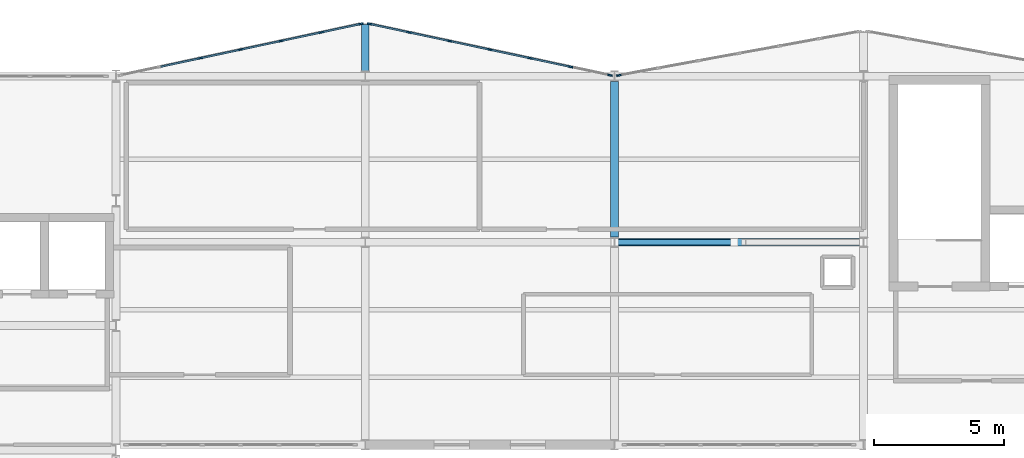
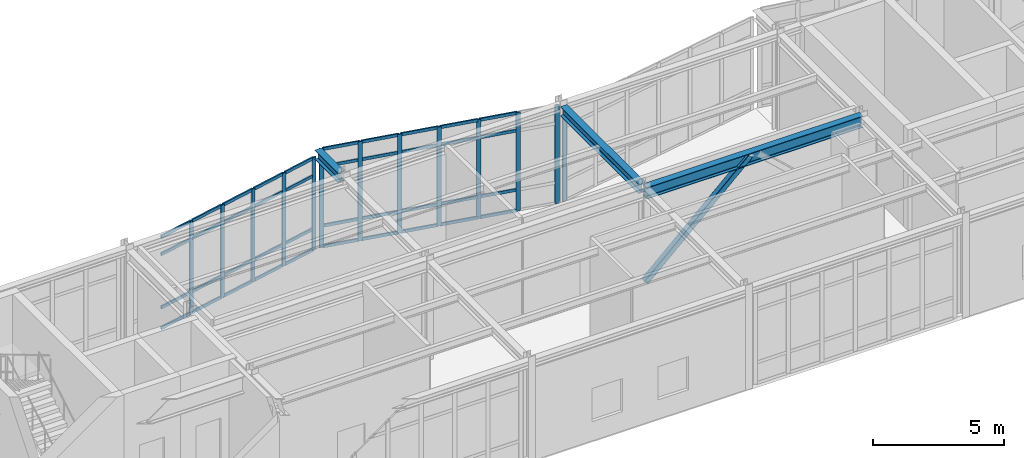
# One storey, part 12 of 28: 54 members, 3 beams, 3 elements without a shape of their own.
"""IFC4 building model written with IfcOpenShell, lengths in metres."""

from ifc_helpers import new_model, si_unit, direction, frame, origin, origin_2d, place, context, subcontext, project, spatial, rectangle, hollow_rectangle, i_section, extrude, material, layer, layer_set, material_profile, profile_set, type_object, element, aggregate, save


model = new_model("IFC4")

# Units and contexts
model_context = context("Model", 3, precision=1e-05, world=origin(), true_north=direction((0.0, 1.0)))
body_context = subcontext(model_context, "Body", "Model", "MODEL_VIEW")
ifc_project = project(units=[si_unit("LENGTHUNIT", "METRE"), si_unit("AREAUNIT", "SQUARE_METRE"), si_unit("VOLUMEUNIT", "CUBIC_METRE"), si_unit("PLANEANGLEUNIT", "RADIAN"), si_unit("MASSUNIT", "GRAM", prefix="KILO")], contexts=[model_context])

# Site, building, storey
site_placement = place(None, origin())
site = spatial("IfcSite", under=ifc_project, at=site_placement, CompositionType="ELEMENT")
building_placement = place(site_placement, origin())
building = spatial("IfcBuilding", under=site, at=building_placement, Name="Nordkorset Police Headquarters", CompositionType="ELEMENT")
storey_placement = place(building_placement, frame((0.0, 0.0, 26.25)))
storey = spatial("IfcBuildingStorey", under=building, at=storey_placement, Name="L06", CompositionType="ELEMENT", Elevation=26.25)

# Member
ifc_material_1 = material(Name="Steel S355J2", Category="steel")
ifc_material_profile_1 = material_profile(ifc_material_1, hollow_rectangle(XDim=0.25, YDim=0.25, WallThickness=0.012451171875, InnerFilletRadius=0.012451171875, OuterFilletRadius=0.02490234375, at=origin_2d()), Name="SHS 250x250x12.5")
ifc_profile_set_1 = profile_set([ifc_material_profile_1], Name="Steel S355J2")
member_type_1 = type_object("IfcMemberType", Name="Brace_SHS_250x250x12.5", PredefinedType="BRACE", material=ifc_profile_set_1)
member_1_placement = place(storey_placement, frame((48.006591796875, 110.39990234375, 0.199951171875), z_axis=(0.732314366197, 0.0, 0.680966716559), x_axis=(0.0, 1.0, 0.0)))
element("IfcMember", 1, at=member_1_placement, inside=storey, type_object=member_type_1, Name="Lateral Chevron Brace BF-V2-A L06 D1", PredefinedType="BRACE", context=body_context, shape_type="SweptSolid", body=[
    extrude(hollow_rectangle(XDim=0.25, YDim=0.25, WallThickness=0.012451171875, InnerFilletRadius=0.012451171875, OuterFilletRadius=0.02490234375, at=origin_2d()), origin(), (0.0, 0.0, 1.0), 6.2998046875),
])

# Curtain wall, members
ifc_material_2 = material(Name="Aluminium alloy AW-6060", Category="aluminium")
ifc_layer_1 = layer(ifc_material_2, 0.179931640625, Name="Aluminium alloy AW-6060")
ifc_layer_set_1 = layer_set([ifc_layer_1], Name="Aluminium alloy AW-6060")
curtain_wall_type_1 = type_object("IfcCurtainWallType", Name="CW_Unit_954x434", PredefinedType="USERDEFINED", material=ifc_layer_set_1)
curtain_wall_1_placement = place(storey_placement, origin())
curtain_wall_1 = element("IfcCurtainWall", 2, at=curtain_wall_1_placement, inside=storey, type_object=curtain_wall_type_1, Name="Unitised Curtain Wall L06 V2N-0", ObjectType="UNITISED CURTAIN WALL", PredefinedType="USERDEFINED")
ifc_material_3 = material(Name="Aluminium alloy AW-6060", Category="aluminium")
ifc_material_profile_2 = material_profile(ifc_material_3, rectangle(XDim=0.06494140625, YDim=0.179931640625, at=origin_2d()), Name="ALU MULL 65x180")
ifc_profile_set_2 = profile_set([ifc_material_profile_2], Name="Aluminium alloy AW-6060")
member_type_2 = type_object("IfcMemberType", Name="CW_Mullion_65x180", PredefinedType="MULLION", material=ifc_profile_set_2)
member_2_placement = place(storey_placement, frame((32.045654296875, 117.4931640625, 0.0), z_axis=(0.0, 0.0, 1.0), x_axis=(-0.208832534289, 0.977951416289, 0.0)))
member_2 = element("IfcMember", 3, at=member_2_placement, type_object=member_type_2, Name="CW-77 mullion 3", PredefinedType="MULLION", context=body_context, shape_type="SweptSolid", body=[
    extrude(rectangle(XDim=0.06494140625, YDim=0.179931640625, at=origin_2d()), origin(), (0.0, 0.0, 1.0), 4.3349609375),
])
member_3_placement = place(storey_placement, frame((33.60009765625, 117.824951171875, 0.0), z_axis=(0.0, 0.0, 1.0), x_axis=(-0.208832534289, 0.977951416289, 0.0)))
member_3 = element("IfcMember", 4, at=member_3_placement, type_object=member_type_2, Name="CW-77 mullion 4", PredefinedType="MULLION", context=body_context, shape_type="SweptSolid", body=[
    extrude(rectangle(XDim=0.06494140625, YDim=0.179931640625, at=origin_2d()), origin(), (0.0, 0.0, 1.0), 4.3349609375),
])
member_4_placement = place(storey_placement, frame((35.154296875, 118.156982421875, 0.0), z_axis=(0.0, 0.0, 1.0), x_axis=(-0.208832534289, 0.977951416289, 0.0)))
member_4 = element("IfcMember", 5, at=member_4_placement, type_object=member_type_2, Name="CW-77 mullion 5", PredefinedType="MULLION", context=body_context, shape_type="SweptSolid", body=[
    extrude(rectangle(XDim=0.06494140625, YDim=0.179931640625, at=origin_2d()), origin(), (0.0, 0.0, 1.0), 4.3349609375),
])
member_5_placement = place(storey_placement, frame((36.708740234375, 118.48876953125, 0.0), z_axis=(0.0, 0.0, 1.0), x_axis=(-0.208832534289, 0.977951416289, 0.0)))
member_5 = element("IfcMember", 6, at=member_5_placement, type_object=member_type_2, Name="CW-77 mullion 6", PredefinedType="MULLION", context=body_context, shape_type="SweptSolid", body=[
    extrude(rectangle(XDim=0.06494140625, YDim=0.179931640625, at=origin_2d()), origin(), (0.0, 0.0, 1.0), 4.3349609375),
])
member_6_placement = place(storey_placement, frame((38.231201171875, 118.81396484375, 0.0), z_axis=(0.0, 0.0, 1.0), x_axis=(-0.208832534289, 0.977951416289, 0.0)))
member_6 = element("IfcMember", 7, at=member_6_placement, type_object=member_type_2, Name="CW-77 mullion 7", PredefinedType="MULLION", context=body_context, shape_type="SweptSolid", body=[
    extrude(rectangle(XDim=0.06494140625, YDim=0.179931640625, at=origin_2d()), origin(), (0.0, 0.0, 1.0), 4.3349609375),
])

ifc_material_4 = material(Name="Aluminium alloy AW-6060", Category="aluminium")
ifc_layer_2 = layer(ifc_material_4, 0.179931640625, Name="Aluminium alloy AW-6060")
ifc_layer_set_2 = layer_set([ifc_layer_2], Name="Aluminium alloy AW-6060")
curtain_wall_type_2 = type_object("IfcCurtainWallType", Name="CW_Unit_954x462", PredefinedType="USERDEFINED", material=ifc_layer_set_2)
curtain_wall_2_placement = place(storey_placement, origin())
curtain_wall_2 = element("IfcCurtainWall", 8, at=curtain_wall_2_placement, inside=storey, type_object=curtain_wall_type_2, Name="Unitised Curtain Wall L06 V2N-1", ObjectType="UNITISED CURTAIN WALL", PredefinedType="USERDEFINED")
member_7_placement = place(storey_placement, frame((38.568603515625, 118.81396484375, 0.0), z_axis=(0.0, 0.0, 1.0), x_axis=(0.208832534289, 0.977951416289, 0.0)))
member_7 = element("IfcMember", 9, at=member_7_placement, type_object=member_type_2, Name="CW-88 mullion 1", PredefinedType="MULLION", context=body_context, shape_type="SweptSolid", body=[
    extrude(rectangle(XDim=0.06494140625, YDim=0.179931640625, at=origin_2d()), origin(), (0.0, 0.0, 1.0), 4.6201171875),
])
member_8_placement = place(storey_placement, frame((40.09130859375, 118.48876953125, 0.0), z_axis=(0.0, 0.0, 1.0), x_axis=(0.208832534289, 0.977951416289, 0.0)))
member_8 = element("IfcMember", 10, at=member_8_placement, type_object=member_type_2, Name="CW-88 mullion 2", PredefinedType="MULLION", context=body_context, shape_type="SweptSolid", body=[
    extrude(rectangle(XDim=0.06494140625, YDim=0.179931640625, at=origin_2d()), origin(), (0.0, 0.0, 1.0), 4.6201171875),
])
member_9_placement = place(storey_placement, frame((41.645751953125, 118.156982421875, 0.0), z_axis=(0.0, 0.0, 1.0), x_axis=(0.208832534289, 0.977951416289, 0.0)))
member_9 = element("IfcMember", 11, at=member_9_placement, type_object=member_type_2, Name="CW-88 mullion 3", PredefinedType="MULLION", context=body_context, shape_type="SweptSolid", body=[
    extrude(rectangle(XDim=0.06494140625, YDim=0.179931640625, at=origin_2d()), origin(), (0.0, 0.0, 1.0), 4.6201171875),
])
member_10_placement = place(storey_placement, frame((43.199951171875, 117.824951171875, 0.0), z_axis=(0.0, 0.0, 1.0), x_axis=(0.208832534289, 0.977951416289, 0.0)))
member_10 = element("IfcMember", 12, at=member_10_placement, type_object=member_type_2, Name="CW-88 mullion 4", PredefinedType="MULLION", context=body_context, shape_type="SweptSolid", body=[
    extrude(rectangle(XDim=0.06494140625, YDim=0.179931640625, at=origin_2d()), origin(), (0.0, 0.0, 1.0), 4.6201171875),
])
member_11_placement = place(storey_placement, frame((44.75439453125, 117.4931640625, 0.0), z_axis=(0.0, 0.0, 1.0), x_axis=(0.208832534289, 0.977951416289, 0.0)))
member_11 = element("IfcMember", 13, at=member_11_placement, type_object=member_type_2, Name="CW-88 mullion 5", PredefinedType="MULLION", context=body_context, shape_type="SweptSolid", body=[
    extrude(rectangle(XDim=0.06494140625, YDim=0.179931640625, at=origin_2d()), origin(), (0.0, 0.0, 1.0), 4.6201171875),
])
member_12_placement = place(storey_placement, frame((46.308837890625, 117.1611328125, 0.0), z_axis=(0.0, 0.0, 1.0), x_axis=(0.208832534289, 0.977951416289, 0.0)))
member_12 = element("IfcMember", 14, at=member_12_placement, type_object=member_type_2, Name="CW-88 mullion 6", PredefinedType="MULLION", context=body_context, shape_type="SweptSolid", body=[
    extrude(rectangle(XDim=0.06494140625, YDim=0.179931640625, at=origin_2d()), origin(), (0.0, 0.0, 1.0), 4.6201171875),
])
member_13_placement = place(storey_placement, frame((47.831298828125, 116.8359375, 0.0), z_axis=(0.0, 0.0, 1.0), x_axis=(0.208832534289, 0.977951416289, 0.0)))
member_13 = element("IfcMember", 15, at=member_13_placement, type_object=member_type_2, Name="CW-88 mullion 7", PredefinedType="MULLION", context=body_context, shape_type="SweptSolid", body=[
    extrude(rectangle(XDim=0.06494140625, YDim=0.179931640625, at=origin_2d()), origin(), (0.0, 0.0, 1.0), 4.6201171875),
])

# Curtain wall, member
ifc_material_5 = material(Name="Aluminium alloy AW-6060", Category="aluminium")
ifc_layer_3 = layer(ifc_material_5, 0.179931640625, Name="Aluminium alloy AW-6060")
ifc_layer_set_3 = layer_set([ifc_layer_3], Name="Aluminium alloy AW-6060")
curtain_wall_type_3 = type_object("IfcCurtainWallType", Name="CW_Unit_948x434", PredefinedType="USERDEFINED", material=ifc_layer_set_3)
curtain_wall_3_placement = place(storey_placement, origin())
curtain_wall_3 = element("IfcCurtainWall", 16, at=curtain_wall_3_placement, inside=storey, type_object=curtain_wall_type_3, Name="Unitised Curtain Wall L06 V2N-2", ObjectType="UNITISED CURTAIN WALL", PredefinedType="USERDEFINED")
member_14_placement = place(storey_placement, frame((48.169677734375, 116.8310546875, 0.0), z_axis=(0.0, 0.0, 1.0), x_axis=(-0.179335715876, 0.983787934979, 0.0)))
member_14 = element("IfcMember", 17, at=member_14_placement, type_object=member_type_2, Name="CW-55 mullion 1", PredefinedType="MULLION", context=body_context, shape_type="SweptSolid", body=[
    extrude(rectangle(XDim=0.06494140625, YDim=0.179931640625, at=origin_2d()), origin(), (0.0, 0.0, 1.0), 4.3349609375),
])
aggregate(curtain_wall_3, [member_14])

# Member
ifc_material_6 = material(Name="Aluminium alloy AW-6060", Category="aluminium")
ifc_material_profile_3 = material_profile(ifc_material_6, rectangle(XDim=0.06494140625, YDim=0.139892578125, at=origin_2d()), Name="ALU TRAN 65x140")
ifc_profile_set_3 = profile_set([ifc_material_profile_3], Name="Aluminium alloy AW-6060")
member_type_3 = type_object("IfcMemberType", Name="CW_Transom_65x140", PredefinedType="USERDEFINED", material=ifc_profile_set_3)
member_15_placement = place(storey_placement, frame((30.52294921875, 117.16796875, 0.032470703125), z_axis=(0.977954480787, 0.208818182896, 0.0), x_axis=(-0.208818182896, 0.977954480787, 0.0)))
member_15 = element("IfcMember", 18, at=member_15_placement, type_object=member_type_3, Name="CW-77 transom 2.1", ObjectType="TRANSOM", PredefinedType="USERDEFINED", context=body_context, shape_type="SweptSolid", body=[
    extrude(rectangle(XDim=0.06494140625, YDim=0.139892578125, at=origin_2d()), origin(), (0.0, 0.0, 1.0), 1.524658203125),
])

member_16_placement = place(storey_placement, frame((30.52294921875, 117.16796875, 1.0), z_axis=(0.977954480787, 0.208818182896, 0.0), x_axis=(-0.208818182896, 0.977954480787, 0.0)))
member_16 = element("IfcMember", 19, at=member_16_placement, type_object=member_type_3, Name="CW-77 transom 2.2", ObjectType="TRANSOM", PredefinedType="USERDEFINED", context=body_context, shape_type="SweptSolid", body=[
    extrude(rectangle(XDim=0.06494140625, YDim=0.139892578125, at=origin_2d()), origin(), (0.0, 0.0, 1.0), 1.524658203125),
])

member_17_placement = place(storey_placement, frame((30.52294921875, 117.16796875, 3.485107421875), z_axis=(0.977954480787, 0.208818182896, 0.0), x_axis=(-0.208818182896, 0.977954480787, 0.0)))
member_17 = element("IfcMember", 20, at=member_17_placement, type_object=member_type_3, Name="CW-77 transom 2.3", ObjectType="TRANSOM", PredefinedType="USERDEFINED", context=body_context, shape_type="SweptSolid", body=[
    extrude(rectangle(XDim=0.06494140625, YDim=0.139892578125, at=origin_2d()), origin(), (0.0, 0.0, 1.0), 1.524658203125),
])

member_18_placement = place(storey_placement, frame((30.52294921875, 117.16796875, 4.302490234375), z_axis=(0.977954480787, 0.208818182896, 0.0), x_axis=(-0.208818182896, 0.977954480787, 0.0)))
member_18 = element("IfcMember", 21, at=member_18_placement, type_object=member_type_3, Name="CW-77 transom 2.4", ObjectType="TRANSOM", PredefinedType="USERDEFINED", context=body_context, shape_type="SweptSolid", body=[
    extrude(rectangle(XDim=0.06494140625, YDim=0.139892578125, at=origin_2d()), origin(), (0.0, 0.0, 1.0), 1.524658203125),
])

member_19_placement = place(storey_placement, frame((32.077392578125, 117.499755859375, 0.032470703125), z_axis=(0.977947496383, 0.208850890154, 0.0), x_axis=(-0.208850890154, 0.977947496383, 0.0)))
member_19 = element("IfcMember", 22, at=member_19_placement, type_object=member_type_3, Name="CW-77 transom 3.1", ObjectType="TRANSOM", PredefinedType="USERDEFINED", context=body_context, shape_type="SweptSolid", body=[
    extrude(rectangle(XDim=0.06494140625, YDim=0.139892578125, at=origin_2d()), origin(), (0.0, 0.0, 1.0), 1.5244140625),
])

member_20_placement = place(storey_placement, frame((32.077392578125, 117.499755859375, 1.0), z_axis=(0.977947496383, 0.208850890154, 0.0), x_axis=(-0.208850890154, 0.977947496383, 0.0)))
member_20 = element("IfcMember", 23, at=member_20_placement, type_object=member_type_3, Name="CW-77 transom 3.2", ObjectType="TRANSOM", PredefinedType="USERDEFINED", context=body_context, shape_type="SweptSolid", body=[
    extrude(rectangle(XDim=0.06494140625, YDim=0.139892578125, at=origin_2d()), origin(), (0.0, 0.0, 1.0), 1.5244140625),
])

member_21_placement = place(storey_placement, frame((32.077392578125, 117.499755859375, 3.485107421875), z_axis=(0.977947496383, 0.208850890154, 0.0), x_axis=(-0.208850890154, 0.977947496383, 0.0)))
member_21 = element("IfcMember", 24, at=member_21_placement, type_object=member_type_3, Name="CW-77 transom 3.3", ObjectType="TRANSOM", PredefinedType="USERDEFINED", context=body_context, shape_type="SweptSolid", body=[
    extrude(rectangle(XDim=0.06494140625, YDim=0.139892578125, at=origin_2d()), origin(), (0.0, 0.0, 1.0), 1.5244140625),
])

member_22_placement = place(storey_placement, frame((32.077392578125, 117.499755859375, 4.302490234375), z_axis=(0.977947496383, 0.208850890154, 0.0), x_axis=(-0.208850890154, 0.977947496383, 0.0)))
member_22 = element("IfcMember", 25, at=member_22_placement, type_object=member_type_3, Name="CW-77 transom 3.4", ObjectType="TRANSOM", PredefinedType="USERDEFINED", context=body_context, shape_type="SweptSolid", body=[
    extrude(rectangle(XDim=0.06494140625, YDim=0.139892578125, at=origin_2d()), origin(), (0.0, 0.0, 1.0), 1.5244140625),
])

member_23_placement = place(storey_placement, frame((33.6318359375, 117.831787109375, 0.032470703125), z_axis=(0.977947496383, 0.208850890154, 0.0), x_axis=(-0.208850890154, 0.977947496383, 0.0)))
member_23 = element("IfcMember", 26, at=member_23_placement, type_object=member_type_3, Name="CW-77 transom 4.1", ObjectType="TRANSOM", PredefinedType="USERDEFINED", context=body_context, shape_type="SweptSolid", body=[
    extrude(rectangle(XDim=0.06494140625, YDim=0.139892578125, at=origin_2d()), origin(), (0.0, 0.0, 1.0), 1.5244140625),
])

member_24_placement = place(storey_placement, frame((33.6318359375, 117.831787109375, 1.0), z_axis=(0.977947496383, 0.208850890154, 0.0), x_axis=(-0.208850890154, 0.977947496383, 0.0)))
member_24 = element("IfcMember", 27, at=member_24_placement, type_object=member_type_3, Name="CW-77 transom 4.2", ObjectType="TRANSOM", PredefinedType="USERDEFINED", context=body_context, shape_type="SweptSolid", body=[
    extrude(rectangle(XDim=0.06494140625, YDim=0.139892578125, at=origin_2d()), origin(), (0.0, 0.0, 1.0), 1.5244140625),
])

member_25_placement = place(storey_placement, frame((33.6318359375, 117.831787109375, 3.485107421875), z_axis=(0.977947496383, 0.208850890154, 0.0), x_axis=(-0.208850890154, 0.977947496383, 0.0)))
member_25 = element("IfcMember", 28, at=member_25_placement, type_object=member_type_3, Name="CW-77 transom 4.3", ObjectType="TRANSOM", PredefinedType="USERDEFINED", context=body_context, shape_type="SweptSolid", body=[
    extrude(rectangle(XDim=0.06494140625, YDim=0.139892578125, at=origin_2d()), origin(), (0.0, 0.0, 1.0), 1.5244140625),
])

member_26_placement = place(storey_placement, frame((33.6318359375, 117.831787109375, 4.302490234375), z_axis=(0.977947496383, 0.208850890154, 0.0), x_axis=(-0.208850890154, 0.977947496383, 0.0)))
member_26 = element("IfcMember", 29, at=member_26_placement, type_object=member_type_3, Name="CW-77 transom 4.4", ObjectType="TRANSOM", PredefinedType="USERDEFINED", context=body_context, shape_type="SweptSolid", body=[
    extrude(rectangle(XDim=0.06494140625, YDim=0.139892578125, at=origin_2d()), origin(), (0.0, 0.0, 1.0), 1.5244140625),
])

member_27_placement = place(storey_placement, frame((35.18603515625, 118.163818359375, 0.032470703125), z_axis=(0.97798717214, 0.208665021336, 0.0), x_axis=(-0.208665021336, 0.97798717214, 0.0)))
member_27 = element("IfcMember", 30, at=member_27_placement, type_object=member_type_3, Name="CW-77 transom 5.1", ObjectType="TRANSOM", PredefinedType="USERDEFINED", context=body_context, shape_type="SweptSolid", body=[
    extrude(rectangle(XDim=0.06494140625, YDim=0.139892578125, at=origin_2d()), origin(), (0.0, 0.0, 1.0), 1.5244140625),
])

member_28_placement = place(storey_placement, frame((35.18603515625, 118.163818359375, 1.0), z_axis=(0.97798717214, 0.208665021336, 0.0), x_axis=(-0.208665021336, 0.97798717214, 0.0)))
member_28 = element("IfcMember", 31, at=member_28_placement, type_object=member_type_3, Name="CW-77 transom 5.2", ObjectType="TRANSOM", PredefinedType="USERDEFINED", context=body_context, shape_type="SweptSolid", body=[
    extrude(rectangle(XDim=0.06494140625, YDim=0.139892578125, at=origin_2d()), origin(), (0.0, 0.0, 1.0), 1.5244140625),
])

member_29_placement = place(storey_placement, frame((35.18603515625, 118.163818359375, 3.485107421875), z_axis=(0.97798717214, 0.208665021336, 0.0), x_axis=(-0.208665021336, 0.97798717214, 0.0)))
member_29 = element("IfcMember", 32, at=member_29_placement, type_object=member_type_3, Name="CW-77 transom 5.3", ObjectType="TRANSOM", PredefinedType="USERDEFINED", context=body_context, shape_type="SweptSolid", body=[
    extrude(rectangle(XDim=0.06494140625, YDim=0.139892578125, at=origin_2d()), origin(), (0.0, 0.0, 1.0), 1.5244140625),
])

member_30_placement = place(storey_placement, frame((35.18603515625, 118.163818359375, 4.302490234375), z_axis=(0.97798717214, 0.208665021336, 0.0), x_axis=(-0.208665021336, 0.97798717214, 0.0)))
member_30 = element("IfcMember", 33, at=member_30_placement, type_object=member_type_3, Name="CW-77 transom 5.4", ObjectType="TRANSOM", PredefinedType="USERDEFINED", context=body_context, shape_type="SweptSolid", body=[
    extrude(rectangle(XDim=0.06494140625, YDim=0.139892578125, at=origin_2d()), origin(), (0.0, 0.0, 1.0), 1.5244140625),
])

member_31_placement = place(storey_placement, frame((36.740478515625, 118.49560546875, 0.032470703125), z_axis=(0.977955422008, 0.208813774846, 0.0), x_axis=(-0.208813774846, 0.977955422008, 0.0)))
member_31 = element("IfcMember", 34, at=member_31_placement, type_object=member_type_3, Name="CW-77 transom 6.1", ObjectType="TRANSOM", PredefinedType="USERDEFINED", context=body_context, shape_type="SweptSolid", body=[
    extrude(rectangle(XDim=0.06494140625, YDim=0.139892578125, at=origin_2d()), origin(), (0.0, 0.0, 1.0), 1.491943359375),
])

member_32_placement = place(storey_placement, frame((36.740478515625, 118.49560546875, 1.0), z_axis=(0.977955422008, 0.208813774846, 0.0), x_axis=(-0.208813774846, 0.977955422008, 0.0)))
member_32 = element("IfcMember", 35, at=member_32_placement, type_object=member_type_3, Name="CW-77 transom 6.2", ObjectType="TRANSOM", PredefinedType="USERDEFINED", context=body_context, shape_type="SweptSolid", body=[
    extrude(rectangle(XDim=0.06494140625, YDim=0.139892578125, at=origin_2d()), origin(), (0.0, 0.0, 1.0), 1.491943359375),
])

member_33_placement = place(storey_placement, frame((36.740478515625, 118.49560546875, 3.485107421875), z_axis=(0.977955422008, 0.208813774846, 0.0), x_axis=(-0.208813774846, 0.977955422008, 0.0)))
member_33 = element("IfcMember", 36, at=member_33_placement, type_object=member_type_3, Name="CW-77 transom 6.3", ObjectType="TRANSOM", PredefinedType="USERDEFINED", context=body_context, shape_type="SweptSolid", body=[
    extrude(rectangle(XDim=0.06494140625, YDim=0.139892578125, at=origin_2d()), origin(), (0.0, 0.0, 1.0), 1.491943359375),
])

member_34_placement = place(storey_placement, frame((36.740478515625, 118.49560546875, 4.302490234375), z_axis=(0.977955422008, 0.208813774846, 0.0), x_axis=(-0.208813774846, 0.977955422008, 0.0)))
member_34 = element("IfcMember", 37, at=member_34_placement, type_object=member_type_3, Name="CW-77 transom 6.4", ObjectType="TRANSOM", PredefinedType="USERDEFINED", context=body_context, shape_type="SweptSolid", body=[
    extrude(rectangle(XDim=0.06494140625, YDim=0.139892578125, at=origin_2d()), origin(), (0.0, 0.0, 1.0), 1.491943359375),
])

aggregate(curtain_wall_1, [member_2, member_3, member_4, member_5, member_6, member_15, member_16, member_17, member_18, member_19, member_20, member_21, member_22, member_23, member_24, member_25, member_26, member_27, member_28, member_29, member_30, member_31, member_32, member_33, member_34])

member_35_placement = place(storey_placement, frame((38.6005859375, 118.80712890625, 0.032470703125), z_axis=(0.977955422008, -0.208813774846, 0.0), x_axis=(0.208813774846, 0.977955422008, 0.0)))
member_35 = element("IfcMember", 38, at=member_35_placement, type_object=member_type_3, Name="CW-88 transom 1.1", ObjectType="TRANSOM", PredefinedType="USERDEFINED", context=body_context, shape_type="SweptSolid", body=[
    extrude(rectangle(XDim=0.06494140625, YDim=0.139892578125, at=origin_2d()), origin(), (0.0, 0.0, 1.0), 1.491943359375),
])

member_36_placement = place(storey_placement, frame((38.6005859375, 118.80712890625, 1.0), z_axis=(0.977955422008, -0.208813774846, 0.0), x_axis=(0.208813774846, 0.977955422008, 0.0)))
member_36 = element("IfcMember", 39, at=member_36_placement, type_object=member_type_3, Name="CW-88 transom 1.2", ObjectType="TRANSOM", PredefinedType="USERDEFINED", context=body_context, shape_type="SweptSolid", body=[
    extrude(rectangle(XDim=0.06494140625, YDim=0.139892578125, at=origin_2d()), origin(), (0.0, 0.0, 1.0), 1.491943359375),
])

member_37_placement = place(storey_placement, frame((38.6005859375, 118.80712890625, 3.77001953125), z_axis=(0.977955422008, -0.208813774846, 0.0), x_axis=(0.208813774846, 0.977955422008, 0.0)))
member_37 = element("IfcMember", 40, at=member_37_placement, type_object=member_type_3, Name="CW-88 transom 1.3", ObjectType="TRANSOM", PredefinedType="USERDEFINED", context=body_context, shape_type="SweptSolid", body=[
    extrude(rectangle(XDim=0.06494140625, YDim=0.139892578125, at=origin_2d()), origin(), (0.0, 0.0, 1.0), 1.491943359375),
])

member_38_placement = place(storey_placement, frame((38.6005859375, 118.80712890625, 4.58740234375), z_axis=(0.977955422008, -0.208813774846, 0.0), x_axis=(0.208813774846, 0.977955422008, 0.0)))
member_38 = element("IfcMember", 41, at=member_38_placement, type_object=member_type_3, Name="CW-88 transom 1.4", ObjectType="TRANSOM", PredefinedType="USERDEFINED", context=body_context, shape_type="SweptSolid", body=[
    extrude(rectangle(XDim=0.06494140625, YDim=0.139892578125, at=origin_2d()), origin(), (0.0, 0.0, 1.0), 1.491943359375),
])

member_39_placement = place(storey_placement, frame((40.123046875, 118.48193359375, 0.032470703125), z_axis=(0.977980197745, -0.20869770679, 0.0), x_axis=(0.20869770679, 0.977980197745, 0.0)))
member_39 = element("IfcMember", 42, at=member_39_placement, type_object=member_type_3, Name="CW-88 transom 2.1", ObjectType="TRANSOM", PredefinedType="USERDEFINED", context=body_context, shape_type="SweptSolid", body=[
    extrude(rectangle(XDim=0.06494140625, YDim=0.139892578125, at=origin_2d()), origin(), (0.0, 0.0, 1.0), 1.524169921875),
])

member_40_placement = place(storey_placement, frame((40.123046875, 118.48193359375, 1.0), z_axis=(0.977980197745, -0.20869770679, 0.0), x_axis=(0.20869770679, 0.977980197745, 0.0)))
member_40 = element("IfcMember", 43, at=member_40_placement, type_object=member_type_3, Name="CW-88 transom 2.2", ObjectType="TRANSOM", PredefinedType="USERDEFINED", context=body_context, shape_type="SweptSolid", body=[
    extrude(rectangle(XDim=0.06494140625, YDim=0.139892578125, at=origin_2d()), origin(), (0.0, 0.0, 1.0), 1.524169921875),
])

member_41_placement = place(storey_placement, frame((40.123046875, 118.48193359375, 3.77001953125), z_axis=(0.977980197745, -0.20869770679, 0.0), x_axis=(0.20869770679, 0.977980197745, 0.0)))
member_41 = element("IfcMember", 44, at=member_41_placement, type_object=member_type_3, Name="CW-88 transom 2.3", ObjectType="TRANSOM", PredefinedType="USERDEFINED", context=body_context, shape_type="SweptSolid", body=[
    extrude(rectangle(XDim=0.06494140625, YDim=0.139892578125, at=origin_2d()), origin(), (0.0, 0.0, 1.0), 1.524169921875),
])

member_42_placement = place(storey_placement, frame((40.123046875, 118.48193359375, 4.58740234375), z_axis=(0.977980197745, -0.20869770679, 0.0), x_axis=(0.20869770679, 0.977980197745, 0.0)))
member_42 = element("IfcMember", 45, at=member_42_placement, type_object=member_type_3, Name="CW-88 transom 2.4", ObjectType="TRANSOM", PredefinedType="USERDEFINED", context=body_context, shape_type="SweptSolid", body=[
    extrude(rectangle(XDim=0.06494140625, YDim=0.139892578125, at=origin_2d()), origin(), (0.0, 0.0, 1.0), 1.524169921875),
])

member_43_placement = place(storey_placement, frame((41.677490234375, 118.150146484375, 0.032470703125), z_axis=(0.977947496383, -0.208850890154, 0.0), x_axis=(0.208850890154, 0.977947496383, 0.0)))
member_43 = element("IfcMember", 46, at=member_43_placement, type_object=member_type_3, Name="CW-88 transom 3.1", ObjectType="TRANSOM", PredefinedType="USERDEFINED", context=body_context, shape_type="SweptSolid", body=[
    extrude(rectangle(XDim=0.06494140625, YDim=0.139892578125, at=origin_2d()), origin(), (0.0, 0.0, 1.0), 1.5244140625),
])

member_44_placement = place(storey_placement, frame((41.677490234375, 118.150146484375, 1.0), z_axis=(0.977947496383, -0.208850890154, 0.0), x_axis=(0.208850890154, 0.977947496383, 0.0)))
member_44 = element("IfcMember", 47, at=member_44_placement, type_object=member_type_3, Name="CW-88 transom 3.2", ObjectType="TRANSOM", PredefinedType="USERDEFINED", context=body_context, shape_type="SweptSolid", body=[
    extrude(rectangle(XDim=0.06494140625, YDim=0.139892578125, at=origin_2d()), origin(), (0.0, 0.0, 1.0), 1.5244140625),
])

member_45_placement = place(storey_placement, frame((41.677490234375, 118.150146484375, 3.77001953125), z_axis=(0.977947496383, -0.208850890154, 0.0), x_axis=(0.208850890154, 0.977947496383, 0.0)))
member_45 = element("IfcMember", 48, at=member_45_placement, type_object=member_type_3, Name="CW-88 transom 3.3", ObjectType="TRANSOM", PredefinedType="USERDEFINED", context=body_context, shape_type="SweptSolid", body=[
    extrude(rectangle(XDim=0.06494140625, YDim=0.139892578125, at=origin_2d()), origin(), (0.0, 0.0, 1.0), 1.5244140625),
])

member_46_placement = place(storey_placement, frame((41.677490234375, 118.150146484375, 4.58740234375), z_axis=(0.977947496383, -0.208850890154, 0.0), x_axis=(0.208850890154, 0.977947496383, 0.0)))
member_46 = element("IfcMember", 49, at=member_46_placement, type_object=member_type_3, Name="CW-88 transom 3.4", ObjectType="TRANSOM", PredefinedType="USERDEFINED", context=body_context, shape_type="SweptSolid", body=[
    extrude(rectangle(XDim=0.06494140625, YDim=0.139892578125, at=origin_2d()), origin(), (0.0, 0.0, 1.0), 1.5244140625),
])

member_47_placement = place(storey_placement, frame((43.231689453125, 117.818115234375, 0.032470703125), z_axis=(0.977954480787, -0.208818182896, 0.0), x_axis=(0.208818182896, 0.977954480787, 0.0)))
member_47 = element("IfcMember", 50, at=member_47_placement, type_object=member_type_3, Name="CW-88 transom 4.1", ObjectType="TRANSOM", PredefinedType="USERDEFINED", context=body_context, shape_type="SweptSolid", body=[
    extrude(rectangle(XDim=0.06494140625, YDim=0.139892578125, at=origin_2d()), origin(), (0.0, 0.0, 1.0), 1.524658203125),
])

member_48_placement = place(storey_placement, frame((43.231689453125, 117.818115234375, 1.0), z_axis=(0.977954480787, -0.208818182896, 0.0), x_axis=(0.208818182896, 0.977954480787, 0.0)))
member_48 = element("IfcMember", 51, at=member_48_placement, type_object=member_type_3, Name="CW-88 transom 4.2", ObjectType="TRANSOM", PredefinedType="USERDEFINED", context=body_context, shape_type="SweptSolid", body=[
    extrude(rectangle(XDim=0.06494140625, YDim=0.139892578125, at=origin_2d()), origin(), (0.0, 0.0, 1.0), 1.524658203125),
])

member_49_placement = place(storey_placement, frame((43.231689453125, 117.818115234375, 3.77001953125), z_axis=(0.977954480787, -0.208818182896, 0.0), x_axis=(0.208818182896, 0.977954480787, 0.0)))
member_49 = element("IfcMember", 52, at=member_49_placement, type_object=member_type_3, Name="CW-88 transom 4.3", ObjectType="TRANSOM", PredefinedType="USERDEFINED", context=body_context, shape_type="SweptSolid", body=[
    extrude(rectangle(XDim=0.06494140625, YDim=0.139892578125, at=origin_2d()), origin(), (0.0, 0.0, 1.0), 1.524658203125),
])

member_50_placement = place(storey_placement, frame((43.231689453125, 117.818115234375, 4.58740234375), z_axis=(0.977954480787, -0.208818182896, 0.0), x_axis=(0.208818182896, 0.977954480787, 0.0)))
member_50 = element("IfcMember", 53, at=member_50_placement, type_object=member_type_3, Name="CW-88 transom 4.4", ObjectType="TRANSOM", PredefinedType="USERDEFINED", context=body_context, shape_type="SweptSolid", body=[
    extrude(rectangle(XDim=0.06494140625, YDim=0.139892578125, at=origin_2d()), origin(), (0.0, 0.0, 1.0), 1.524658203125),
])

member_51_placement = place(storey_placement, frame((44.7861328125, 117.486328125, 0.032470703125), z_axis=(0.977947496383, -0.208850890154, 0.0), x_axis=(0.208850890154, 0.977947496383, 0.0)))
member_51 = element("IfcMember", 54, at=member_51_placement, type_object=member_type_3, Name="CW-88 transom 5.1", ObjectType="TRANSOM", PredefinedType="USERDEFINED", context=body_context, shape_type="SweptSolid", body=[
    extrude(rectangle(XDim=0.06494140625, YDim=0.139892578125, at=origin_2d()), origin(), (0.0, 0.0, 1.0), 1.5244140625),
])

member_52_placement = place(storey_placement, frame((44.7861328125, 117.486328125, 1.0), z_axis=(0.977947496383, -0.208850890154, 0.0), x_axis=(0.208850890154, 0.977947496383, 0.0)))
member_52 = element("IfcMember", 55, at=member_52_placement, type_object=member_type_3, Name="CW-88 transom 5.2", ObjectType="TRANSOM", PredefinedType="USERDEFINED", context=body_context, shape_type="SweptSolid", body=[
    extrude(rectangle(XDim=0.06494140625, YDim=0.139892578125, at=origin_2d()), origin(), (0.0, 0.0, 1.0), 1.5244140625),
])

member_53_placement = place(storey_placement, frame((44.7861328125, 117.486328125, 3.77001953125), z_axis=(0.977947496383, -0.208850890154, 0.0), x_axis=(0.208850890154, 0.977947496383, 0.0)))
member_53 = element("IfcMember", 56, at=member_53_placement, type_object=member_type_3, Name="CW-88 transom 5.3", ObjectType="TRANSOM", PredefinedType="USERDEFINED", context=body_context, shape_type="SweptSolid", body=[
    extrude(rectangle(XDim=0.06494140625, YDim=0.139892578125, at=origin_2d()), origin(), (0.0, 0.0, 1.0), 1.5244140625),
])

member_54_placement = place(storey_placement, frame((44.7861328125, 117.486328125, 4.58740234375), z_axis=(0.977947496383, -0.208850890154, 0.0), x_axis=(0.208850890154, 0.977947496383, 0.0)))
member_54 = element("IfcMember", 57, at=member_54_placement, type_object=member_type_3, Name="CW-88 transom 5.4", ObjectType="TRANSOM", PredefinedType="USERDEFINED", context=body_context, shape_type="SweptSolid", body=[
    extrude(rectangle(XDim=0.06494140625, YDim=0.139892578125, at=origin_2d()), origin(), (0.0, 0.0, 1.0), 1.5244140625),
])

aggregate(curtain_wall_2, [member_7, member_8, member_9, member_10, member_11, member_12, member_13, member_35, member_36, member_37, member_38, member_39, member_40, member_41, member_42, member_43, member_44, member_45, member_46, member_47, member_48, member_49, member_50, member_51, member_52, member_53, member_54])

# Beams
ifc_material_7 = material(Name="Steel S355J2", Category="steel")
ifc_material_profile_4 = material_profile(ifc_material_7, i_section(OverallWidth=0.300048828125, OverallDepth=0.43994140625, WebThickness=0.011474609375, FlangeThickness=0.02099609375, FilletRadius=0.027099609375, at=origin_2d()), Name="HEA 450")
ifc_profile_set_4 = profile_set([ifc_material_profile_4], Name="Steel S355J2")
beam_type_1 = type_object("IfcBeamType", Name="Girder_HEA_450", PredefinedType="USERDEFINED", material=ifc_profile_set_4)
beam_1_placement = place(storey_placement, frame((48.0, 110.60009765625, 4.445068359375), z_axis=(0.0, 1.0, 0.0), x_axis=(-1.0, 0.0, 0.0)))
element("IfcBeam", 58, at=beam_1_placement, inside=storey, type_object=beam_type_1, Name="Girder V2 L06 GY-2-1", ObjectType="GIRDER", PredefinedType="USERDEFINED", context=body_context, shape_type="SweptSolid", body=[
    extrude(i_section(OverallWidth=0.300048828125, OverallDepth=0.43994140625, WebThickness=0.011474609375, FlangeThickness=0.02099609375, FilletRadius=0.027099609375, at=origin_2d()), origin(), (0.0, 0.0, 1.0), 6.0),
])
beam_2_placement = place(storey_placement, frame((38.39990234375, 117.0, 4.445068359375), z_axis=(0.0, 1.0, 0.0), x_axis=(-1.0, 0.0, 0.0)))
element("IfcBeam", 59, at=beam_2_placement, inside=storey, type_object=beam_type_1, Name="Sawtooth Facade Outrigger V2 L06 38", ObjectType="GIRDER", PredefinedType="USERDEFINED", context=body_context, shape_type="SweptSolid", body=[
    extrude(i_section(OverallWidth=0.300048828125, OverallDepth=0.43994140625, WebThickness=0.011474609375, FlangeThickness=0.02099609375, FilletRadius=0.027099609375, at=origin_2d()), origin(), (0.0, 0.0, 1.0), 1.7900390625),
])
ifc_material_8 = material(Name="Steel S355J2", Category="steel")
ifc_material_profile_5 = material_profile(ifc_material_8, i_section(OverallWidth=0.300048828125, OverallDepth=0.5400390625, WebThickness=0.012451171875, FlangeThickness=0.02392578125, FilletRadius=0.027099609375, at=origin_2d()), Name="HEA 550")
ifc_profile_set_5 = profile_set([ifc_material_profile_5], Name="Steel S355J2")
beam_type_2 = type_object("IfcBeamType", Name="Girder_HEA_550", PredefinedType="USERDEFINED", material=ifc_profile_set_5)
beam_3_placement = place(storey_placement, frame((48.006591796875, 110.39990234375, 4.39501953125), z_axis=(1.0, 0.0, 0.0), x_axis=(0.0, 1.0, 0.0)))
element("IfcBeam", 60, at=beam_3_placement, inside=storey, type_object=beam_type_2, Name="Girder V2 L06 GX-1-2", ObjectType="GIRDER", PredefinedType="USERDEFINED", context=body_context, shape_type="SweptSolid", body=[
    extrude(i_section(OverallWidth=0.300048828125, OverallDepth=0.5400390625, WebThickness=0.012451171875, FlangeThickness=0.02392578125, FilletRadius=0.027099609375, at=origin_2d()), origin(), (0.0, 0.0, 1.0), 9.586669921875),
])

save(model, "model.ifc")
